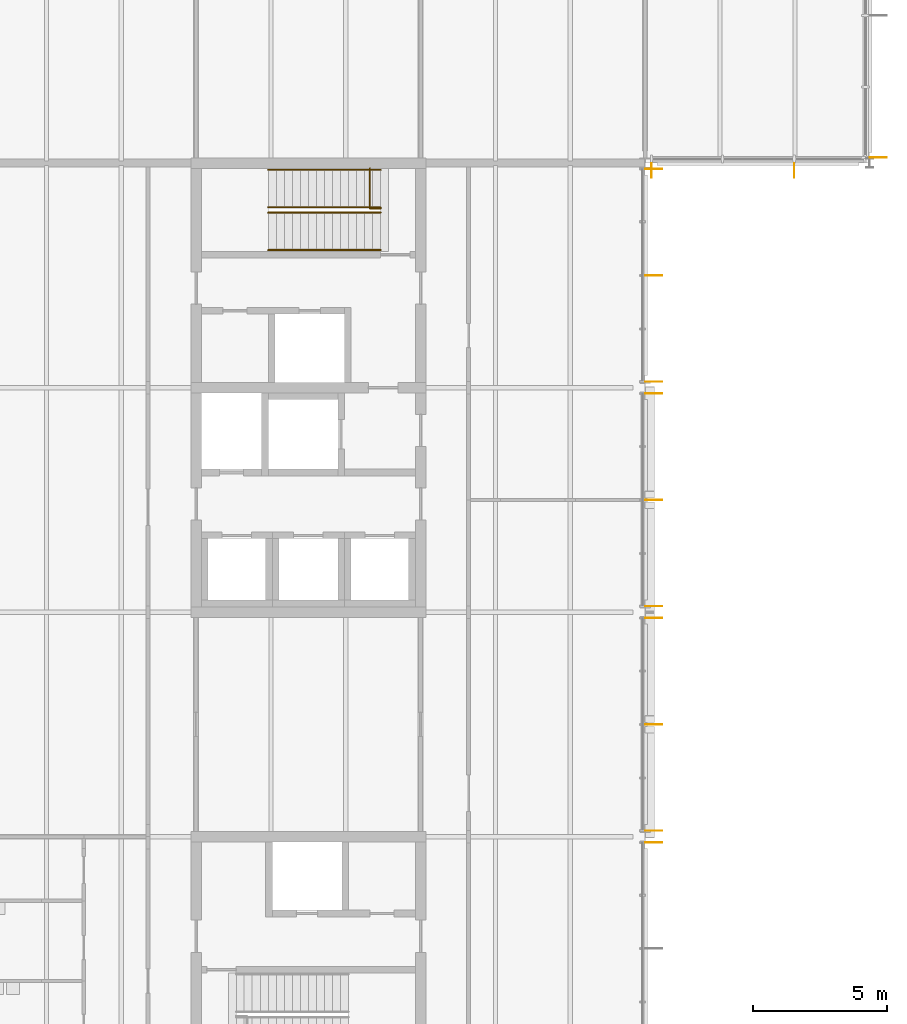
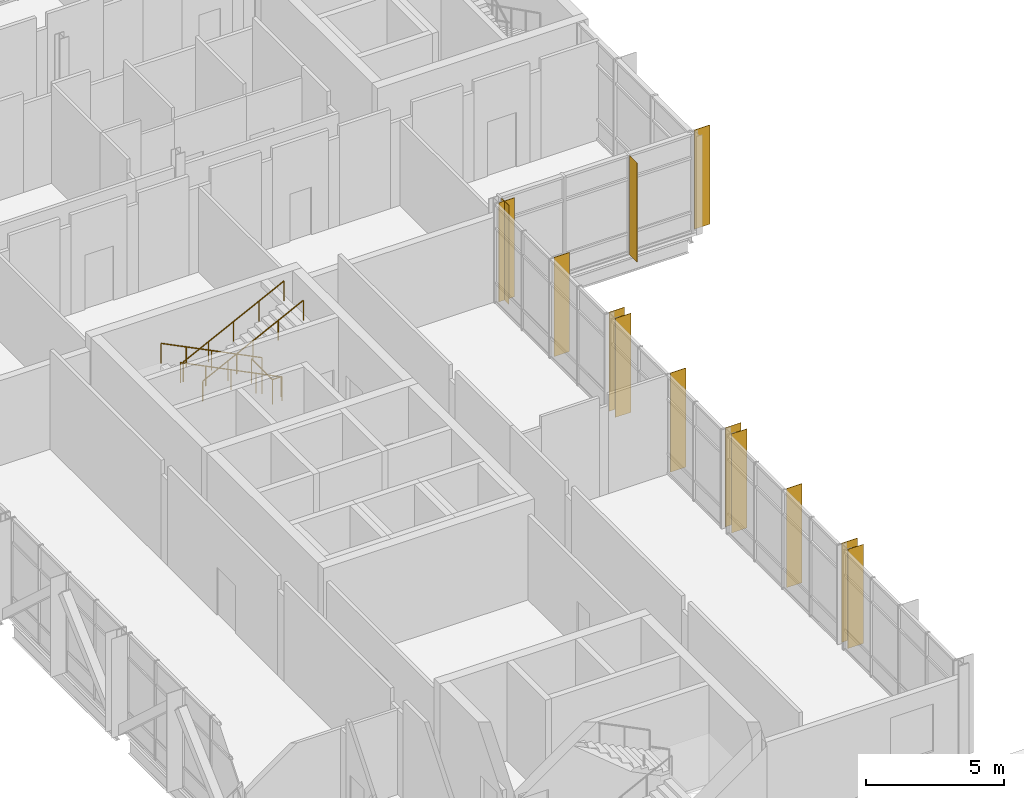
# One storey, part 85 of 89: 13 shading devices, 5 railings.
"""IFC4 building model written with IfcOpenShell, lengths in metres."""

from ifc_helpers import new_model, si_unit, direction, frame, origin, origin_2d, place, context, subcontext, project, spatial, rectangle, circle, extrude, material, layer, layer_set, type_object, element, save


model = new_model("IFC4")

# Units and contexts
model_context = context("Model", 3, precision=1e-05, world=origin(), true_north=direction((0.0, 1.0)))
body_context = subcontext(model_context, "Body", "Model", "MODEL_VIEW")
ifc_project = project(units=[si_unit("LENGTHUNIT", "METRE"), si_unit("AREAUNIT", "SQUARE_METRE"), si_unit("VOLUMEUNIT", "CUBIC_METRE"), si_unit("PLANEANGLEUNIT", "RADIAN"), si_unit("MASSUNIT", "GRAM", prefix="KILO")], contexts=[model_context])

# Site, building, storey
site_placement = place(None, origin())
site = spatial("IfcSite", under=ifc_project, at=site_placement, CompositionType="ELEMENT")
building_placement = place(site_placement, origin())
building = spatial("IfcBuilding", under=site, at=building_placement, Name="Hlaing Beacon Police Headquarters", CompositionType="ELEMENT")
storey_placement = place(building_placement, frame((0.0, 0.0, 9.89990234375)))
storey = spatial("IfcBuildingStorey", under=building, at=storey_placement, Name="L02", CompositionType="ELEMENT", Elevation=9.89990234375)

# Shading devices
ifc_material_1 = material(Name="Aluminium 6063-T5 anodised", Category="aluminium")
ifc_layer_1 = layer(ifc_material_1, 0.011962890625)
ifc_layer_set_1 = layer_set([ifc_layer_1], Name="Aluminium 6063-T5 anodised")
shading_device_type_1 = type_object("IfcShadingDeviceType", Name="Aluminium fin 12x550", PredefinedType="JALOUSIE", material=ifc_layer_set_1)
for number, where, z_axis, x_axis, name in (
    (1, (126.23681640625, 66.925048828125, 0.0), (0.0, 0.0, 1.0), (1.0, 0.0, 0.0), "Fin L02 S019.0"),
    (2, (131.580810546875, 66.925048828125, 0.0), (0.0, 0.0, 1.0), (1.0, 0.0, 0.0), "Fin L02 S019.2"),
):
    element("IfcShadingDevice", number, at=place(storey_placement, frame(where, z_axis=z_axis, x_axis=x_axis)), inside=storey, type_object=shading_device_type_1, Name=name, PredefinedType="JALOUSIE", context=body_context, shape_type="SweptSolid", body=[
        extrude(rectangle(XDim=0.011962890625, YDim=0.550048828125, at=origin_2d()), origin(), (0.0, 0.0, 1.0), 4.3701171875),
    ])
ifc_material_2 = material(Name="Aluminium 6063-T5 anodised", Category="aluminium")
ifc_layer_2 = layer(ifc_material_2, 0.01611328125)
ifc_layer_set_2 = layer_set([ifc_layer_2], Name="Aluminium 6063-T5 anodised")
shading_device_type_2 = type_object("IfcShadingDeviceType", Name="Aluminium fin 16x650", PredefinedType="JALOUSIE", material=ifc_layer_set_2)
for number, where, z_axis, x_axis, name in (
    (3, (126.324951171875, 41.777099609375, 0.0), (0.0, 0.0, 1.0), (0.0, 1.0, 0.0), "Fin L02 E015.4"),
    (4, (126.324951171875, 42.222900390625, 0.0), (0.0, 0.0, 1.0), (0.0, 1.0, 0.0), "Fin L02 E016.0"),
    (5, (126.324951171875, 46.199951171875, 0.0), (0.0, 0.0, 1.0), (0.0, 1.0, 0.0), "Fin L02 E016.2"),
    (6, (126.324951171875, 50.177001953125, 0.0), (0.0, 0.0, 1.0), (0.0, 1.0, 0.0), "Fin L02 E016.4"),
    (7, (126.324951171875, 50.623046875, 0.0), (0.0, 0.0, 1.0), (0.0, 1.0, 0.0), "Fin L02 E017.0"),
    (8, (126.324951171875, 54.60009765625, 0.0), (0.0, 0.0, 1.0), (0.0, 1.0, 0.0), "Fin L02 E017.2"),
    (9, (126.324951171875, 58.576904296875, 0.0), (0.0, 0.0, 1.0), (0.0, 1.0, 0.0), "Fin L02 E017.4"),
    (10, (126.324951171875, 59.02294921875, 0.0), (0.0, 0.0, 1.0), (0.0, 1.0, 0.0), "Fin L02 E018.0"),
    (11, (126.324951171875, 63.00244140625, 0.0), (0.0, 0.0, 1.0), (0.0, 1.0, 0.0), "Fin L02 E018.2"),
    (12, (126.324951171875, 66.98193359375, 0.0), (0.0, 0.0, 1.0), (0.0, 1.0, 0.0), "Fin L02 E018.4"),
    (13, (134.72509765625, 67.417724609375, 0.0), (0.0, 0.0, 1.0), (0.0, 1.0, 0.0), "Fin L02 E020.0"),
):
    element("IfcShadingDevice", number, at=place(storey_placement, frame(where, z_axis=z_axis, x_axis=x_axis)), inside=storey, type_object=shading_device_type_2, Name=name, PredefinedType="JALOUSIE", context=body_context, shape_type="SweptSolid", body=[
        extrude(rectangle(XDim=0.01611328125, YDim=0.64990234375, at=origin_2d()), origin(), (0.0, 0.0, 1.0), 4.3701171875),
    ])

# Railings
ifc_material_3 = material(Name="Stainless steel", Category="steel")
railing_type_1 = type_object("IfcRailingType", Name="Stair guard 1100", PredefinedType="GUARDRAIL", material=ifc_material_3)
railing_placement = place(storey_placement, frame((115.699951171875, 67.0, 0.0)))
element("IfcRailing", 14, at=railing_placement, inside=storey, type_object=railing_type_1, Name="Guard ST-M", PredefinedType="GUARDRAIL", context=body_context, shape_type="SweptSolid", body=[
    extrude(circle(Radius=0.02392578125, at=origin_2d()), frame((0.0, 0.0, 1.076171875), z_axis=(0.0, -1.0, 0.0), x_axis=(1.0, 0.0, 0.0)), (0.0, 0.0, 1.0), 1.5),
    extrude(circle(Radius=0.02392578125, at=origin_2d()), frame((0.0, -1.5, 1.076171875), z_axis=(1.0, 0.0, 0.0), x_axis=(0.0, 1.0, 0.0)), (0.0, 0.0, 1.0), 0.400146484375),
    extrude(circle(Radius=0.02099609375, at=origin_2d()), origin(), (0.0, 0.0, 1.0), 1.052001953125),
    extrude(circle(Radius=0.02099609375, at=origin_2d()), frame((0.0, -0.75, 0.0)), (0.0, 0.0, 1.0), 1.052001953125),
    extrude(circle(Radius=0.02099609375, at=origin_2d()), frame((0.0, -1.5, 0.0)), (0.0, 0.0, 1.0), 1.052001953125),
    extrude(circle(Radius=0.02099609375, at=origin_2d()), frame((0.400146484375, -1.5, 0.0)), (0.0, 0.0, 1.0), 1.052001953125),
])
ifc_material_4 = material(Name="Stainless steel", Category="steel")
railing_type_2 = type_object("IfcRailingType", Name="Stair handrail 900", PredefinedType="HANDRAIL", material=ifc_material_4)
for number, where, name in (
    (15, (116.10009765625, 66.949951171875, 0.150146484375), "Handrail ST-M"),
    (16, (116.10009765625, 65.550048828125, 0.150146484375), "Handrail ST-M"),
):
    element("IfcRailing", number, at=place(storey_placement, frame(where)), inside=storey, type_object=railing_type_2, Name=name, PredefinedType="HANDRAIL", context=body_context, shape_type="SweptSolid", body=[
        extrude(circle(Radius=0.02392578125, at=origin_2d()), frame((0.0, 0.0, 0.8759765625), z_axis=(-0.894447986312, 0.0, 0.447172002457), x_axis=(0.0, -1.0, 0.0)), (0.0, 0.0, 1.0), 4.69580078125),
        extrude(circle(Radius=0.02099609375, at=origin_2d()), origin(), (0.0, 0.0, 1.0), 0.851806640625),
        extrude(circle(Radius=0.02099609375, at=origin_2d()), frame((-1.050048828125, 0.0, 0.52490234375)), (0.0, 0.0, 1.0), 0.851806640625),
        extrude(circle(Radius=0.02099609375, at=origin_2d()), frame((-2.10009765625, 0.0, 1.0498046875)), (0.0, 0.0, 1.0), 0.851806640625),
        extrude(circle(Radius=0.02099609375, at=origin_2d()), frame((-3.150146484375, 0.0, 1.574951171875)), (0.0, 0.0, 1.0), 0.851806640625),
        extrude(circle(Radius=0.02099609375, at=origin_2d()), frame((-4.2001953125, 0.0, 2.099853515625)), (0.0, 0.0, 1.0), 0.851806640625),
    ])
for number, where, name in (
    (17, (111.89990234375, 65.35009765625, 2.400146484375), "Handrail ST-M"),
    (18, (111.89990234375, 63.949951171875, 2.400146484375), "Handrail ST-M"),
):
    element("IfcRailing", number, at=place(storey_placement, frame(where)), inside=storey, type_object=railing_type_2, Name=name, PredefinedType="HANDRAIL", context=body_context, shape_type="SweptSolid", body=[
        extrude(circle(Radius=0.02392578125, at=origin_2d()), frame((0.0, 0.0, 0.8759765625), z_axis=(0.894447986312, 0.0, 0.447172002457), x_axis=(0.0, 1.0, 0.0)), (0.0, 0.0, 1.0), 4.69580078125),
        extrude(circle(Radius=0.02099609375, at=origin_2d()), origin(), (0.0, 0.0, 1.0), 0.851806640625),
        extrude(circle(Radius=0.02099609375, at=origin_2d()), frame((1.050048828125, 0.0, 0.52490234375)), (0.0, 0.0, 1.0), 0.851806640625),
        extrude(circle(Radius=0.02099609375, at=origin_2d()), frame((2.10009765625, 0.0, 1.0498046875)), (0.0, 0.0, 1.0), 0.851806640625),
        extrude(circle(Radius=0.02099609375, at=origin_2d()), frame((3.150146484375, 0.0, 1.574951171875)), (0.0, 0.0, 1.0), 0.851806640625),
        extrude(circle(Radius=0.02099609375, at=origin_2d()), frame((4.2001953125, 0.0, 2.099853515625)), (0.0, 0.0, 1.0), 0.851806640625),
    ])

save(model, "model.ifc")
